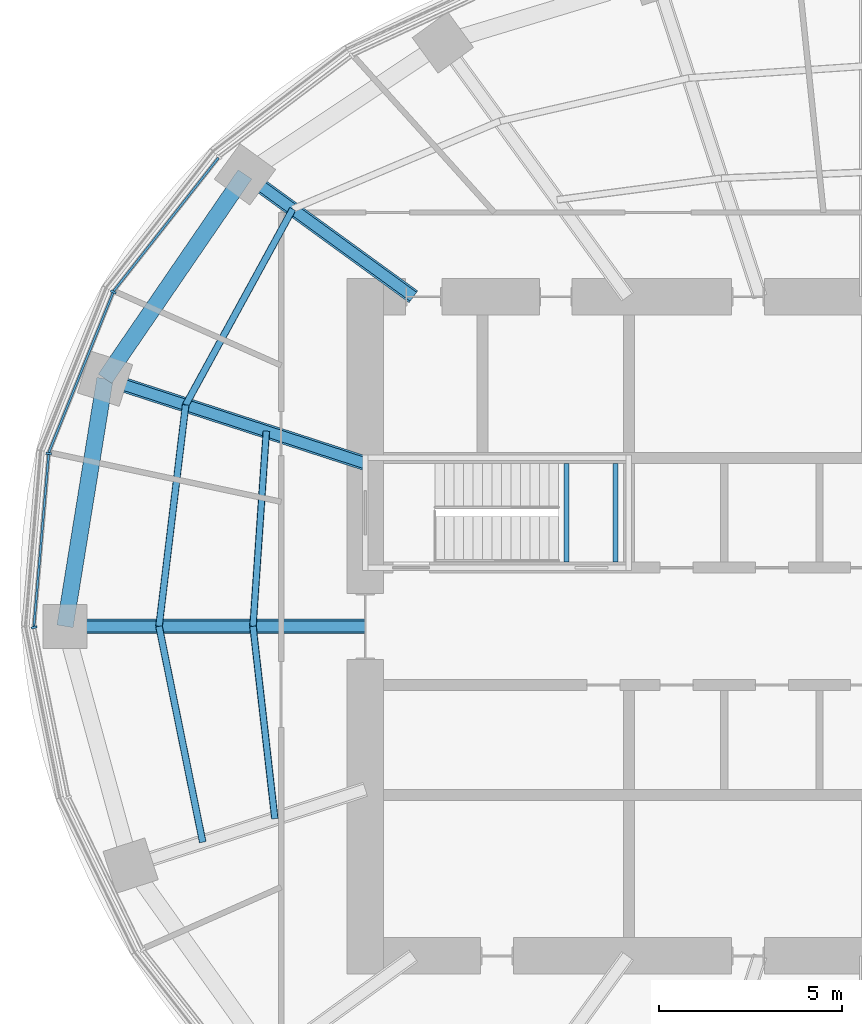
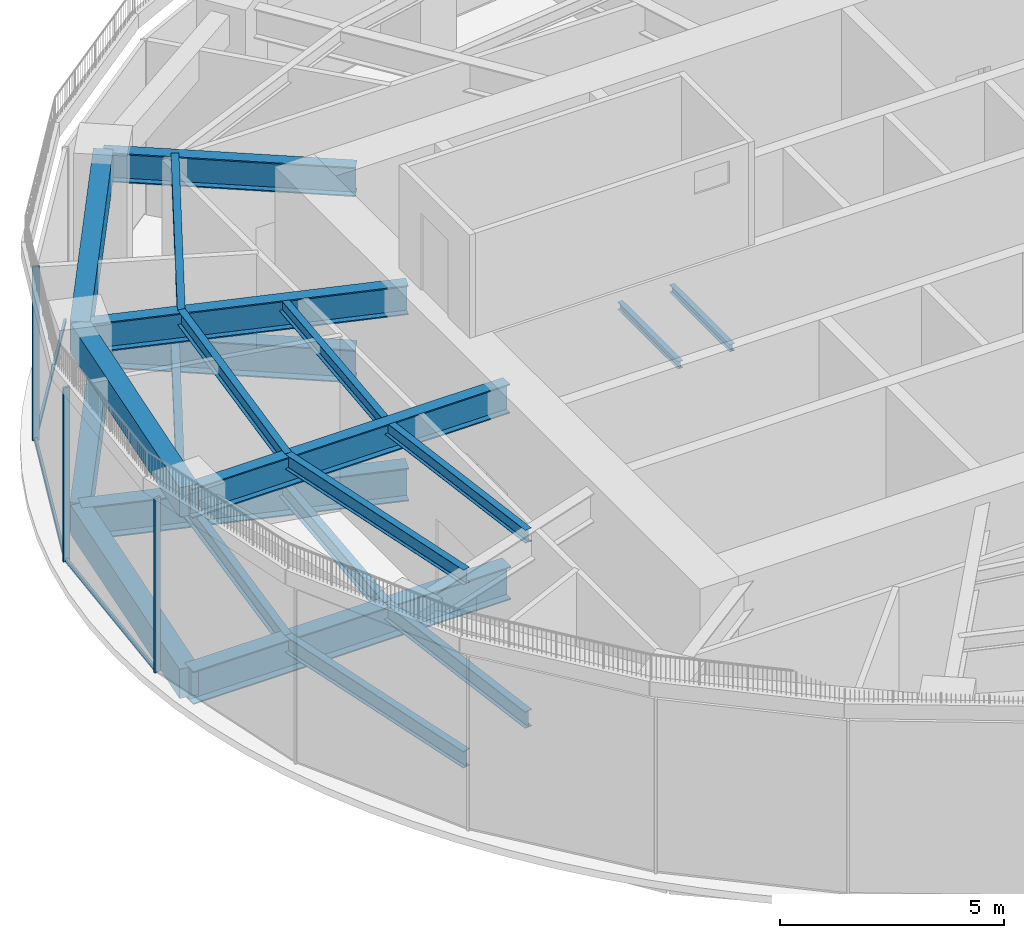
# One storey, part 4 of 19: 22 beams, 6 members, 2 elements without a shape of their own.
"""IFC4 building model written with IfcOpenShell, lengths in metres."""

from ifc_helpers import new_model, si_unit, direction, frame, origin, origin_2d, place, context, subcontext, project, spatial, rectangle, i_section, extrude, material, material_profile, profile_set, type_object, element, aggregate, save


model = new_model("IFC4")

# Units and contexts
model_context = context("Model", 3, precision=1e-05, world=origin(), true_north=direction((0.0, 1.0)))
body_context = subcontext(model_context, "Body", "Model", "MODEL_VIEW")
ifc_project = project(units=[si_unit("LENGTHUNIT", "METRE"), si_unit("AREAUNIT", "SQUARE_METRE"), si_unit("VOLUMEUNIT", "CUBIC_METRE"), si_unit("PLANEANGLEUNIT", "RADIAN"), si_unit("MASSUNIT", "GRAM", prefix="KILO")], contexts=[model_context])

# Site, building, storey
site_placement = place(None, origin())
site = spatial("IfcSite", under=ifc_project, at=site_placement, CompositionType="ELEMENT")
building_placement = place(site_placement, origin())
building = spatial("IfcBuilding", under=site, at=building_placement, Name="Marramba Exchange Tower", CompositionType="ELEMENT")
storey_placement = place(building_placement, frame((0.0, 0.0, 277.0)))
storey = spatial("IfcBuildingStorey", under=building, at=storey_placement, Name="L67", CompositionType="ELEMENT", Elevation=277.0)

# Beams
ifc_material_1 = material(Name="Steel AS/NZS 3679.1 grade 300", Category="steel")
ifc_material_profile_1 = material_profile(ifc_material_1, i_section(OverallWidth=0.1708984375, OverallDepth=0.35595703125, WebThickness=0.00732421875, FlangeThickness=0.011474609375, FilletRadius=0.011474609375, at=origin_2d()), Name="360UB50.7")
ifc_profile_set_1 = profile_set([ifc_material_profile_1], Name="Steel AS/NZS 3679.1 grade 300")
beam_type_1 = type_object("IfcBeamType", Name="Floor joist 360UB50.7", PredefinedType="JOIST", material=ifc_profile_set_1)
beam_1_placement = place(storey_placement, frame((-16.40283203125, 5.32958984375, 4.572021484375), z_axis=(-0.068096259546, -0.99767875563, 0.0), x_axis=(0.99767875563, -0.068096259546, 0.0)))
element("IfcBeam", 1, at=beam_1_placement, inside=storey, type_object=beam_type_1, Name="Joist RF bay 10 row 1", PredefinedType="JOIST", context=body_context, shape_type="SweptSolid", body=[
    extrude(i_section(OverallWidth=0.1708984375, OverallDepth=0.35595703125, WebThickness=0.00732421875, FlangeThickness=0.011474609375, FilletRadius=0.011474609375, at=origin_2d()), origin(), (0.0, 0.0, 1.0), 5.342041015625),
])
beam_2_placement = place(storey_placement, frame((-16.7666015625, 0.0, 4.572021484375), z_axis=(0.112888968594, -0.993607609054, 0.0), x_axis=(0.993607609054, 0.112888968594, 0.0)))
element("IfcBeam", 2, at=beam_2_placement, inside=storey, type_object=beam_type_1, Name="Joist RF bay 11 row 1", PredefinedType="JOIST", context=body_context, shape_type="SweptSolid", body=[
    extrude(i_section(OverallWidth=0.1708984375, OverallDepth=0.35595703125, WebThickness=0.00732421875, FlangeThickness=0.011474609375, FilletRadius=0.011474609375, at=origin_2d()), origin(), (0.0, 0.0, 1.0), 5.28759765625),
])
ifc_material_profile_2 = material_profile(ifc_material_1, i_section(OverallWidth=0.177978515625, OverallDepth=0.403076171875, WebThickness=0.007568359375, FlangeThickness=0.010986328125, FilletRadius=0.011474609375, at=origin_2d()), Name="410UB53.7")
ifc_profile_set_2 = profile_set([ifc_material_profile_2], Name="Steel AS/NZS 3679.1 grade 300")
beam_type_2 = type_object("IfcBeamType", Name="Floor joist 410UB53.7", PredefinedType="JOIST", material=ifc_profile_set_2)
beam_3_placement = place(storey_placement, frame((-15.682373046875, 11.393798828125, 4.548583984375), z_axis=(-0.479584443791, -0.877495732909, 0.0), x_axis=(0.877495732909, -0.479584443791, 0.0)))
element("IfcBeam", 3, at=beam_3_placement, inside=storey, type_object=beam_type_2, Name="Joist RF bay 09 row 2", PredefinedType="JOIST", context=body_context, shape_type="SweptSolid", body=[
    extrude(i_section(OverallWidth=0.177978515625, OverallDepth=0.403076171875, WebThickness=0.007568359375, FlangeThickness=0.010986328125, FilletRadius=0.011474609375, at=origin_2d()), origin(), (0.0, 0.0, 1.0), 6.094970703125),
])
beam_4_placement = place(storey_placement, frame((-18.60546875, 6.04541015625, 4.548583984375), z_axis=(-0.119523078538, -0.992831422597, 0.0), x_axis=(0.992831422597, -0.119523078538, 0.0)))
element("IfcBeam", 4, at=beam_4_placement, inside=storey, type_object=beam_type_2, Name="Joist RF bay 10 row 2", PredefinedType="JOIST", context=body_context, shape_type="SweptSolid", body=[
    extrude(i_section(OverallWidth=0.177978515625, OverallDepth=0.403076171875, WebThickness=0.007568359375, FlangeThickness=0.010986328125, FilletRadius=0.011474609375, at=origin_2d()), origin(), (0.0, 0.0, 1.0), 6.089111328125),
])
beam_5_placement = place(storey_placement, frame((-19.333251953125, 0.0, 4.548583984375), z_axis=(0.198489047047, -0.980103105904, 0.0), x_axis=(0.980103105904, 0.198489047047, 0.0)))
element("IfcBeam", 5, at=beam_5_placement, inside=storey, type_object=beam_type_2, Name="Joist RF bay 11 row 2", PredefinedType="JOIST", context=body_context, shape_type="SweptSolid", body=[
    extrude(i_section(OverallWidth=0.177978515625, OverallDepth=0.403076171875, WebThickness=0.007568359375, FlangeThickness=0.010986328125, FilletRadius=0.011474609375, at=origin_2d()), origin(), (0.0, 0.0, 1.0), 6.013427734375),
])
ifc_material_profile_3 = material_profile(ifc_material_1, i_section(OverallWidth=0.18994140625, OverallDepth=0.4541015625, WebThickness=0.008544921875, FlangeThickness=0.0126953125, FilletRadius=0.011474609375, at=origin_2d()), Name="460UB67.1")
ifc_profile_set_3 = profile_set([ifc_material_profile_3], Name="Steel AS/NZS 3679.1 grade 300")
beam_type_3 = type_object("IfcBeamType", Name="Floor joist 460UB67.1", PredefinedType="JOIST", material=ifc_profile_set_3)
beam_6_placement = place(storey_placement, frame((-15.682373046875, 11.393798828125, -0.427001953125), z_axis=(-0.479584443791, -0.877495732909, 0.0), x_axis=(0.877495732909, -0.479584443791, 0.0)))
element("IfcBeam", 6, at=beam_6_placement, inside=storey, type_object=beam_type_3, Name="Joist L67 bay 09 row 2", PredefinedType="JOIST", context=body_context, shape_type="SweptSolid", body=[
    extrude(i_section(OverallWidth=0.18994140625, OverallDepth=0.4541015625, WebThickness=0.008544921875, FlangeThickness=0.0126953125, FilletRadius=0.011474609375, at=origin_2d()), origin(), (0.0, 0.0, 1.0), 6.094970703125),
])
beam_7_placement = place(storey_placement, frame((-16.40283203125, 5.32958984375, -0.427001953125), z_axis=(-0.068096259546, -0.99767875563, 0.0), x_axis=(0.99767875563, -0.068096259546, 0.0)))
element("IfcBeam", 7, at=beam_7_placement, inside=storey, type_object=beam_type_3, Name="Joist L67 bay 10 row 1", PredefinedType="JOIST", context=body_context, shape_type="SweptSolid", body=[
    extrude(i_section(OverallWidth=0.18994140625, OverallDepth=0.4541015625, WebThickness=0.008544921875, FlangeThickness=0.0126953125, FilletRadius=0.011474609375, at=origin_2d()), origin(), (0.0, 0.0, 1.0), 5.342041015625),
])
beam_8_placement = place(storey_placement, frame((-18.60546875, 6.04541015625, -0.427001953125), z_axis=(-0.119523078538, -0.992831422597, 0.0), x_axis=(0.992831422597, -0.119523078538, 0.0)))
element("IfcBeam", 8, at=beam_8_placement, inside=storey, type_object=beam_type_3, Name="Joist L67 bay 10 row 2", PredefinedType="JOIST", context=body_context, shape_type="SweptSolid", body=[
    extrude(i_section(OverallWidth=0.18994140625, OverallDepth=0.4541015625, WebThickness=0.008544921875, FlangeThickness=0.0126953125, FilletRadius=0.011474609375, at=origin_2d()), origin(), (0.0, 0.0, 1.0), 6.089111328125),
])
beam_9_placement = place(storey_placement, frame((-16.7666015625, 0.0, -0.427001953125), z_axis=(0.112888968594, -0.993607609054, 0.0), x_axis=(0.993607609054, 0.112888968594, 0.0)))
element("IfcBeam", 9, at=beam_9_placement, inside=storey, type_object=beam_type_3, Name="Joist L67 bay 11 row 1", PredefinedType="JOIST", context=body_context, shape_type="SweptSolid", body=[
    extrude(i_section(OverallWidth=0.18994140625, OverallDepth=0.4541015625, WebThickness=0.008544921875, FlangeThickness=0.0126953125, FilletRadius=0.011474609375, at=origin_2d()), origin(), (0.0, 0.0, 1.0), 5.28759765625),
])
beam_10_placement = place(storey_placement, frame((-19.333251953125, 0.0, -0.427001953125), z_axis=(0.198489047047, -0.980103105904, 0.0), x_axis=(0.980103105904, 0.198489047047, 0.0)))
element("IfcBeam", 10, at=beam_10_placement, inside=storey, type_object=beam_type_3, Name="Joist L67 bay 11 row 2", PredefinedType="JOIST", context=body_context, shape_type="SweptSolid", body=[
    extrude(i_section(OverallWidth=0.18994140625, OverallDepth=0.4541015625, WebThickness=0.008544921875, FlangeThickness=0.0126953125, FilletRadius=0.011474609375, at=origin_2d()), origin(), (0.0, 0.0, 1.0), 6.013427734375),
])

# Curtain wall, members
ifc_material_2 = material(Name="Aluminium framing, bronze anodised", Category="aluminium")
curtain_wall_type = type_object("IfcCurtainWallType", Name="Plant floor louvred curtain wall", PredefinedType="USERDEFINED", material=ifc_material_2)
curtain_wall_1_placement = place(storey_placement, origin())
curtain_wall_1 = element("IfcCurtainWall", 11, at=curtain_wall_1_placement, inside=storey, type_object=curtain_wall_type, Name="Curtain wall CW6 L67 F11-F15", ObjectType="RIBBON CURTAIN WALL", PredefinedType="USERDEFINED")
ifc_material_3 = material(Name="Aluminium mullion, bronze anodised", Category="aluminium")
ifc_material_profile_4 = material_profile(ifc_material_3, rectangle(XDim=0.159912109375, YDim=0.06005859375, at=origin_2d()), Name="CW6 mullion 60x160")
ifc_profile_set_4 = profile_set([ifc_material_profile_4], Name="Aluminium mullion, bronze anodised")
member_type_1 = type_object("IfcMemberType", Name="Plant floor louvred curtain wall mullion", PredefinedType="MULLION", material=ifc_profile_set_4)
member_1_placement = place(storey_placement, frame((-20.580810546875, 9.13037109375, 0.0), z_axis=(0.0, 0.0, 1.0), x_axis=(0.927838139977, -0.372983090774, 0.0)))
member_1 = element("IfcMember", 12, at=member_1_placement, type_object=member_type_1, Name="CW6 mullion 1", PredefinedType="MULLION", context=body_context, shape_type="SweptSolid", body=[
    extrude(rectangle(XDim=0.159912109375, YDim=0.06005859375, at=origin_2d()), origin(), (0.0, 0.0, 1.0), 4.75),
])
member_2_placement = place(storey_placement, frame((-22.3447265625, 4.718994140625, 0.0), z_axis=(0.0, 0.0, 1.0), x_axis=(0.996331816632, -0.085574009881, 0.0)))
member_2 = element("IfcMember", 13, at=member_2_placement, type_object=member_type_1, Name="CW6 mullion 1", PredefinedType="MULLION", context=body_context, shape_type="SweptSolid", body=[
    extrude(rectangle(XDim=0.159912109375, YDim=0.06005859375, at=origin_2d()), origin(), (0.0, 0.0, 1.0), 4.75),
])

# Curtain wall, member
curtain_wall_2_placement = place(storey_placement, origin())
curtain_wall_2 = element("IfcCurtainWall", 14, at=curtain_wall_2_placement, inside=storey, type_object=curtain_wall_type, Name="Curtain wall CW6 L67 F16-F20", ObjectType="RIBBON CURTAIN WALL", PredefinedType="USERDEFINED")
member_3_placement = place(storey_placement, frame((-22.744140625, -0.029296875, 0.0), z_axis=(0.0, 0.0, 1.0), x_axis=(0.980268514856, 0.19767053089, 0.0)))
member_3 = element("IfcMember", 15, at=member_3_placement, type_object=member_type_1, Name="CW6 mullion 1", PredefinedType="MULLION", context=body_context, shape_type="SweptSolid", body=[
    extrude(rectangle(XDim=0.159912109375, YDim=0.06005859375, at=origin_2d()), origin(), (0.0, 0.0, 1.0), 4.75),
])
aggregate(curtain_wall_2, [member_3])

# Member
ifc_material_4 = material(Name="Aluminium transom, bronze anodised", Category="aluminium")
ifc_material_profile_5 = material_profile(ifc_material_4, rectangle(XDim=0.06005859375, YDim=0.1201171875, at=origin_2d()), Name="CW6 transom 60x120")
ifc_profile_set_5 = profile_set([ifc_material_profile_5], Name="Aluminium transom, bronze anodised")
member_type_2 = type_object("IfcMemberType", Name="Plant floor louvred curtain wall transom", PredefinedType="USERDEFINED", material=ifc_profile_set_5)
member_4_placement = place(storey_placement, frame((-17.71044921875, 12.793212890625, 0.030029296875), z_axis=(-0.618229471001, -0.785997659784, 0.0), x_axis=(0.785997659784, -0.618229471001, 0.0)))
member_4 = element("IfcMember", 16, at=member_4_placement, type_object=member_type_2, Name="CW6 sill transom", ObjectType="TRANSOM", PredefinedType="USERDEFINED", context=body_context, shape_type="SweptSolid", body=[
    extrude(rectangle(XDim=0.06005859375, YDim=0.1201171875, at=origin_2d()), origin(), (0.0, 0.0, 1.0), 4.624755859375),
])

member_5_placement = place(storey_placement, frame((-20.592041015625, 9.1025390625, 0.030029296875), z_axis=(-0.372969057001, -0.927843781312, 0.0), x_axis=(0.927843781312, -0.372969057001, 0.0)))
member_5 = element("IfcMember", 17, at=member_5_placement, type_object=member_type_2, Name="CW6 sill transom", ObjectType="TRANSOM", PredefinedType="USERDEFINED", context=body_context, shape_type="SweptSolid", body=[
    extrude(rectangle(XDim=0.06005859375, YDim=0.1201171875, at=origin_2d()), origin(), (0.0, 0.0, 1.0), 4.692138671875),
])

member_6_placement = place(storey_placement, frame((-22.34716796875, 4.689208984375, 0.030029296875), z_axis=(-0.085590935521, -0.99633036276, 0.0), x_axis=(0.99633036276, -0.085590935521, 0.0)))
member_6 = element("IfcMember", 18, at=member_6_placement, type_object=member_type_2, Name="CW6 sill transom", ObjectType="TRANSOM", PredefinedType="USERDEFINED", context=body_context, shape_type="SweptSolid", body=[
    extrude(rectangle(XDim=0.06005859375, YDim=0.1201171875, at=origin_2d()), origin(), (0.0, 0.0, 1.0), 4.70654296875),
])

aggregate(curtain_wall_1, [member_4, member_1, member_5, member_2, member_6])

# Beams
ifc_material_5 = material(Name="Steel AS/NZS 3679.2 grade 300", Category="steel")
ifc_material_profile_6 = material_profile(ifc_material_5, i_section(OverallWidth=0.300048828125, OverallDepth=0.800048828125, WebThickness=0.013916015625, FlangeThickness=0.031982421875, at=origin_2d()), Name="800WB192")
ifc_profile_set_6 = profile_set([ifc_material_profile_6], Name="Steel AS/NZS 3679.2 grade 300")
beam_type_4 = type_object("IfcBeamType", Name="Radial girder 800WB192", PredefinedType="BEAM", material=ifc_profile_set_6)
beam_11_placement = place(storey_placement, frame((-12.387451171875, 9.0, 4.35009765625), z_axis=(-0.809025746925, 0.587773205252, 0.0), x_axis=(-0.587773205252, -0.809025746925, 0.0)))
element("IfcBeam", 19, at=beam_11_placement, inside=storey, type_object=beam_type_4, Name="Radial girder RF TC09", PredefinedType="BEAM", context=body_context, shape_type="SweptSolid", body=[
    extrude(i_section(OverallWidth=0.300048828125, OverallDepth=0.800048828125, WebThickness=0.013916015625, FlangeThickness=0.031982421875, at=origin_2d()), origin(), (0.0, 0.0, 1.0), 5.683837890625),
])
beam_12_placement = place(storey_placement, frame((-13.699951171875, 4.451416015625, 4.35009765625), z_axis=(-0.951059990189, 0.309006302624, 0.0), x_axis=(-0.309006302624, -0.951059990189, 0.0)))
element("IfcBeam", 20, at=beam_12_placement, inside=storey, type_object=beam_type_4, Name="Radial girder RF TC10", PredefinedType="BEAM", context=body_context, shape_type="SweptSolid", body=[
    extrude(i_section(OverallWidth=0.300048828125, OverallDepth=0.800048828125, WebThickness=0.013916015625, FlangeThickness=0.031982421875, at=origin_2d()), origin(), (0.0, 0.0, 1.0), 7.47412109375),
])
beam_13_placement = place(storey_placement, frame((-13.699951171875, 0.0, 4.35009765625), z_axis=(-1.0, 0.0, 0.0), x_axis=(0.0, -1.0, 0.0)))
element("IfcBeam", 21, at=beam_13_placement, inside=storey, type_object=beam_type_4, Name="Radial girder RF TC11", PredefinedType="BEAM", context=body_context, shape_type="SweptSolid", body=[
    extrude(i_section(OverallWidth=0.300048828125, OverallDepth=0.800048828125, WebThickness=0.013916015625, FlangeThickness=0.031982421875, at=origin_2d()), origin(), (0.0, 0.0, 1.0), 8.199951171875),
])
ifc_material_profile_7 = material_profile(ifc_material_5, i_section(OverallWidth=0.39990234375, OverallDepth=0.89990234375, WebThickness=0.01611328125, FlangeThickness=0.031982421875, at=origin_2d()), Name="900WB282")
ifc_profile_set_7 = profile_set([ifc_material_profile_7], Name="Steel AS/NZS 3679.2 grade 300")
beam_type_5 = type_object("IfcBeamType", Name="Radial girder 900WB282", PredefinedType="BEAM", material=ifc_profile_set_7)
beam_14_placement = place(storey_placement, frame((-12.387451171875, 9.0, -0.64990234375), z_axis=(-0.809025746925, 0.587773205252, 0.0), x_axis=(-0.587773205252, -0.809025746925, 0.0)))
element("IfcBeam", 22, at=beam_14_placement, inside=storey, type_object=beam_type_5, Name="Radial girder L67 TC09", PredefinedType="BEAM", context=body_context, shape_type="SweptSolid", body=[
    extrude(i_section(OverallWidth=0.39990234375, OverallDepth=0.89990234375, WebThickness=0.01611328125, FlangeThickness=0.031982421875, at=origin_2d()), origin(), (0.0, 0.0, 1.0), 5.683837890625),
])
beam_15_placement = place(storey_placement, frame((-13.699951171875, 4.451416015625, -0.64990234375), z_axis=(-0.951059990189, 0.309006302624, 0.0), x_axis=(-0.309006302624, -0.951059990189, 0.0)))
element("IfcBeam", 23, at=beam_15_placement, inside=storey, type_object=beam_type_5, Name="Radial girder L67 TC10", PredefinedType="BEAM", context=body_context, shape_type="SweptSolid", body=[
    extrude(i_section(OverallWidth=0.39990234375, OverallDepth=0.89990234375, WebThickness=0.01611328125, FlangeThickness=0.031982421875, at=origin_2d()), origin(), (0.0, 0.0, 1.0), 7.47412109375),
])
beam_16_placement = place(storey_placement, frame((-13.699951171875, 0.0, -0.64990234375), z_axis=(-1.0, 0.0, 0.0), x_axis=(0.0, -1.0, 0.0)))
element("IfcBeam", 24, at=beam_16_placement, inside=storey, type_object=beam_type_5, Name="Radial girder L67 TC11", PredefinedType="BEAM", context=body_context, shape_type="SweptSolid", body=[
    extrude(i_section(OverallWidth=0.39990234375, OverallDepth=0.89990234375, WebThickness=0.01611328125, FlangeThickness=0.031982421875, at=origin_2d()), origin(), (0.0, 0.0, 1.0), 8.199951171875),
])
ifc_material_6 = material(Name="Concrete N50", Category="concrete")
ifc_material_profile_8 = material_profile(ifc_material_6, rectangle(XDim=0.449951171875, YDim=0.800048828125, at=origin_2d()), Name="RC 450x800")
ifc_profile_set_8 = profile_set([ifc_material_profile_8], Name="Concrete N50")
beam_type_6 = type_object("IfcBeamType", Name="Ring beam RC 450x800 N50", PredefinedType="SPANDREL", material=ifc_profile_set_8)
beam_17_placement = place(storey_placement, frame((-16.98583984375, 12.3408203125, -0.60009765625), z_axis=(-0.56516002054, -0.824981303535, 0.0), x_axis=(0.824981303535, -0.56516002054, 0.0)))
element("IfcBeam", 25, at=beam_17_placement, inside=storey, type_object=beam_type_6, Name="Ring beam L67 TC09-TC10", PredefinedType="SPANDREL", context=body_context, shape_type="SweptSolid", body=[
    extrude(rectangle(XDim=0.449951171875, YDim=0.800048828125, at=origin_2d()), origin(), (0.0, 0.0, 1.0), 6.763671875),
])
beam_18_placement = place(storey_placement, frame((-20.808349609375, 6.760986328125, -0.60009765625), z_axis=(-0.159384865399, -0.987216523708, 0.0), x_axis=(0.987216523708, -0.159384865399, 0.0)))
element("IfcBeam", 26, at=beam_18_placement, inside=storey, type_object=beam_type_6, Name="Ring beam L67 TC10-TC11", PredefinedType="SPANDREL", context=body_context, shape_type="SweptSolid", body=[
    extrude(rectangle(XDim=0.449951171875, YDim=0.800048828125, at=origin_2d()), origin(), (0.0, 0.0, 1.0), 6.8486328125),
])
beam_19_placement = place(storey_placement, frame((-16.98583984375, 12.3408203125, 4.35009765625), z_axis=(-0.56516002054, -0.824981303535, 0.0), x_axis=(0.824981303535, -0.56516002054, 0.0)))
element("IfcBeam", 27, at=beam_19_placement, inside=storey, type_object=beam_type_6, Name="Ring beam RF TC09-TC10", PredefinedType="SPANDREL", context=body_context, shape_type="SweptSolid", body=[
    extrude(rectangle(XDim=0.449951171875, YDim=0.800048828125, at=origin_2d()), origin(), (0.0, 0.0, 1.0), 6.763671875),
])
beam_20_placement = place(storey_placement, frame((-20.808349609375, 6.760986328125, 4.35009765625), z_axis=(-0.159384865399, -0.987216523708, 0.0), x_axis=(0.987216523708, -0.159384865399, 0.0)))
element("IfcBeam", 28, at=beam_20_placement, inside=storey, type_object=beam_type_6, Name="Ring beam RF TC10-TC11", PredefinedType="SPANDREL", context=body_context, shape_type="SweptSolid", body=[
    extrude(rectangle(XDim=0.449951171875, YDim=0.800048828125, at=origin_2d()), origin(), (0.0, 0.0, 1.0), 6.8486328125),
])
ifc_material_profile_9 = material_profile(ifc_material_1, i_section(OverallWidth=0.133056640625, OverallDepth=0.202880859375, WebThickness=0.005859375, FlangeThickness=0.0078125, FilletRadius=0.0087890625, at=origin_2d()), Name="200UB25.4")
ifc_profile_set_9 = profile_set([ifc_material_profile_9], Name="Steel AS/NZS 3679.1 grade 300")
beam_type_7 = type_object("IfcBeamType", Name="Stair landing beam 200UB25.4", PredefinedType="BEAM", material=ifc_profile_set_9)
for number, where, z_axis, x_axis, name in (
    (29, (-8.20361328125, 1.75, 2.198486328125), (0.0, 1.0, 0.0), (-1.0, 0.0, 0.0), "Stair landing beam SLB1 ST1 L67 1"),
    (30, (-6.866455078125, 1.75, 2.198486328125), (0.0, 1.0, 0.0), (-1.0, 0.0, 0.0), "Stair landing beam SLB1 ST1 L67 2"),
):
    element("IfcBeam", number, at=place(storey_placement, frame(where, z_axis=z_axis, x_axis=x_axis)), inside=storey, type_object=beam_type_7, Name=name, PredefinedType="BEAM", context=body_context, shape_type="SweptSolid", body=[
        extrude(i_section(OverallWidth=0.133056640625, OverallDepth=0.202880859375, WebThickness=0.005859375, FlangeThickness=0.0078125, FilletRadius=0.0087890625, at=origin_2d()), origin(), (0.0, 0.0, 1.0), 2.699951171875),
    ])

save(model, "model.ifc")
